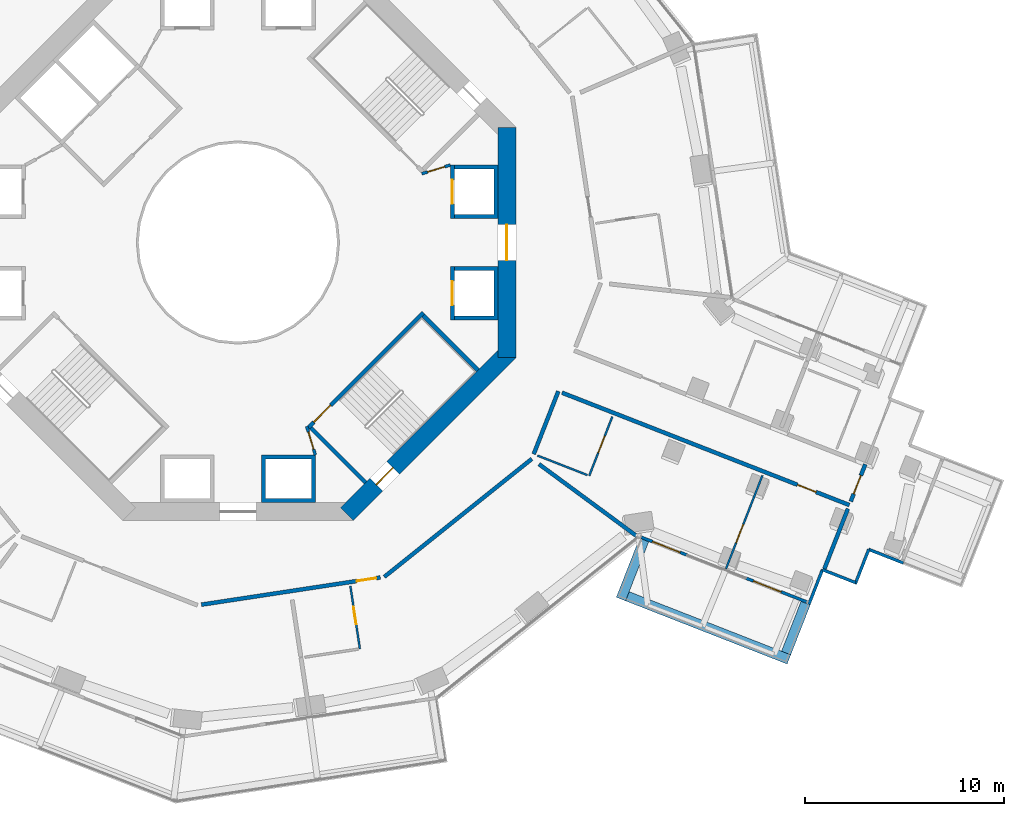
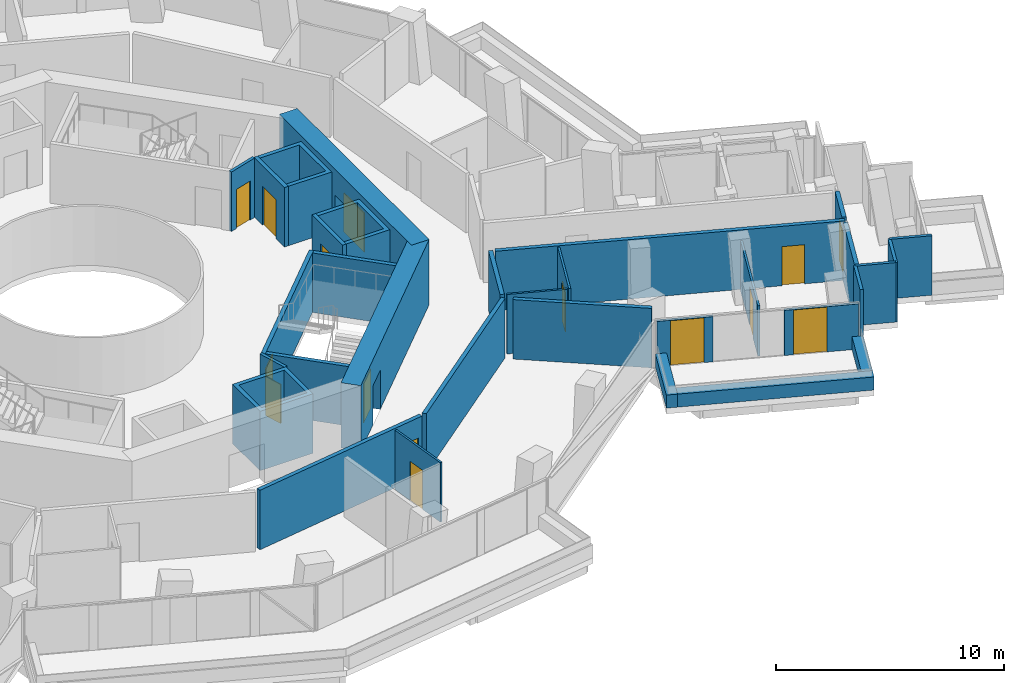
# One storey, part 21 of 28: 32 walls, 15 doors, 15 openings.
"""IFC4 building model written with IfcOpenShell, lengths in metres."""

from ifc_helpers import new_model, si_unit, direction, frame, frame_2d, origin, place, context, subcontext, project, spatial, polyline, rectangle, outline, extrude, material, layer, layer_set, type_object, element, fill, save


model = new_model("IFC4")

# Units and contexts
model_context = context("Model", 3, precision=1e-05, world=origin(), true_north=direction((0.0, 1.0)))
body_context = subcontext(model_context, "Body", "Model", "MODEL_VIEW")
ifc_project = project(units=[si_unit("LENGTHUNIT", "METRE"), si_unit("AREAUNIT", "SQUARE_METRE"), si_unit("VOLUMEUNIT", "CUBIC_METRE"), si_unit("PLANEANGLEUNIT", "RADIAN"), si_unit("MASSUNIT", "GRAM", prefix="KILO")], contexts=[model_context])

# Site, building, storey
site_placement = place(None, origin())
site = spatial("IfcSite", under=ifc_project, at=site_placement, CompositionType="ELEMENT")
building_placement = place(site_placement, origin())
building = spatial("IfcBuilding", under=site, at=building_placement, Name="Verdalira Terraces Hotel", CompositionType="ELEMENT")
storey_placement = place(building_placement, frame((0.0, 0.0, 68.0)))
storey = spatial("IfcBuildingStorey", under=building, at=storey_placement, Name="L15", CompositionType="ELEMENT", Elevation=68.0)

# Walls
ifc_material_1 = material(Name="Concrete C40", Category="concrete")
ifc_layer_1 = layer(ifc_material_1, 0.5)
ifc_layer_set_1 = layer_set([ifc_layer_1], Name="Balcony planter trough with tree")
wall_type_1 = type_object("IfcWallType", Name="Balcony planter trough with tree", PredefinedType="SOLIDWALL", material=ifc_layer_set_1)
wall_1_placement = place(storey_placement, frame((20.457031, -14.980957, 0.0), z_axis=(0.0, 0.0, 1.0), x_axis=(-0.364261223, -0.931296817, 0.0)))
element("IfcWall", 1, at=wall_1_placement, inside=storey, type_object=wall_type_1, Name="Balcony planter", PredefinedType="SOLIDWALL", context=body_context, shape_type="SweptSolid", body=[
    extrude(rectangle(XDim=3.198975, YDim=0.5, at=frame_2d((1.599609, 0.0))), origin(), (0.0, 0.0, 1.0), 0.699951),
])
wall_2_placement = place(storey_placement, frame((19.615723, -17.818604, 0.0), z_axis=(0.0, 0.0, 1.0), x_axis=(0.9313182, -0.36420655, 0.0)))
element("IfcWall", 2, at=wall_2_placement, inside=storey, type_object=wall_type_1, Name="Balcony planter", PredefinedType="SOLIDWALL", context=body_context, shape_type="SweptSolid", body=[
    extrude(rectangle(XDim=8.737793, YDim=0.5, at=frame_2d((4.368896, 0.0))), origin(), (0.0, 0.0, 1.0), 0.699951),
])
wall_3_placement = place(storey_placement, frame((27.611572, -20.677246, 0.0), z_axis=(0.0, 0.0, 1.0), x_axis=(0.364252692, 0.931300154, 0.0)))
element("IfcWall", 3, at=wall_3_placement, inside=storey, type_object=wall_type_1, Name="Balcony planter", PredefinedType="SOLIDWALL", context=body_context, shape_type="SweptSolid", body=[
    extrude(rectangle(XDim=2.699219, YDim=0.5, at=frame_2d((1.349609, 0.0))), origin(), (0.0, 0.0, 1.0), 0.699951),
])

# Wall, opening, door
ifc_material_2 = material(Name="Moisture-resistant gypsum board partition")
ifc_layer_2 = layer(ifc_material_2, 0.10009765625)
ifc_layer_set_2 = layer_set([ifc_layer_2], Name="Bathroom partition 100 mm")
wall_type_2 = type_object("IfcWallType", Name="Bathroom partition 100 mm", PredefinedType="PARTITIONING", material=ifc_layer_set_2)
wall_4_placement = place(storey_placement, frame((6.144531, -20.467529, 0.0), z_axis=(0.0, 0.0, 1.0), x_axis=(-0.150228011, 0.988651377, 0.0)))
wall_4 = element("IfcWall", 4, at=wall_4_placement, inside=storey, type_object=wall_type_2, Name="Bathroom partition", PredefinedType="PARTITIONING", context=body_context, shape_type="SweptSolid", body=[
    extrude(rectangle(XDim=3.199951, YDim=0.100098, at=frame_2d((1.600098, 0.0))), origin(), (0.0, 0.0, 1.0), 3.189941),
])
opening_1_placement = place(wall_4_placement, frame((1.25, 0.0, 0.0)))
opening_1 = element("IfcOpeningElement", 5, at=opening_1_placement, cuts=wall_4, Name="Opening L15-123", PredefinedType="OPENING", context=body_context, shape_type="SweptSolid", body=[
    extrude(rectangle(XDim=0.899902, YDim=2.100098, at=frame_2d((0.449951, 1.050049))), frame((0.0, 0.060059, 0.0), z_axis=(0.0, -1.0, 0.0), x_axis=(1.0, 0.0, 0.0)), (0.0, 0.0, 1.0), 0.120117),
])
ifc_material_3 = material(Name="Timber door", Category="wood")
door_type_1 = type_object("IfcDoorType", Name="Bathroom door 900 x 2100", OperationType="NOTDEFINED", PredefinedType="DOOR", material=ifc_material_3)
door_1_placement = place(opening_1_placement, origin())
door_1 = element("IfcDoor", 6, at=door_1_placement, inside=storey, type_object=door_type_1, Name="Bathroom door 1510", OperationType="SINGLE_SWING_LEFT", OverallHeight=2.10009765625, OverallWidth=0.89990234375, PredefinedType="DOOR", context=body_context, shape_type="SweptSolid", body=[
    extrude(rectangle(XDim=0.899902, YDim=2.100098, at=frame_2d((0.449951, 1.050049))), frame((0.0, 0.024902, 0.0), z_axis=(0.0, -1.0, 0.0), x_axis=(1.0, 0.0, 0.0)), (0.0, 0.0, 1.0), 0.050049),
])
fill(opening_1, door_1)

# Wall
wall_5_placement = place(storey_placement, frame((15.085693, -10.731689, 0.0), z_axis=(0.0, 0.0, 1.0), x_axis=(0.931317467, -0.364208423, 0.0)))
element("IfcWall", 7, at=wall_5_placement, inside=storey, type_object=wall_type_2, Name="Bathroom partition", PredefinedType="PARTITIONING", context=body_context, shape_type="SweptSolid", body=[
    extrude(rectangle(XDim=2.700195, YDim=0.100098, at=frame_2d((1.350098, 0.0))), origin(), (0.0, 0.0, 1.0), 3.189941),
])

# Wall, opening, door
wall_6_placement = place(storey_placement, frame((17.693359, -11.751709, 0.0), z_axis=(0.0, 0.0, 1.0), x_axis=(0.364223868, 0.931311427, 0.0)))
wall_6 = element("IfcWall", 8, at=wall_6_placement, inside=storey, type_object=wall_type_2, Name="Bathroom partition", PredefinedType="PARTITIONING", context=body_context, shape_type="SweptSolid", body=[
    extrude(rectangle(XDim=3.199951, YDim=0.100098, at=frame_2d((1.600098, 0.0))), origin(), (0.0, 0.0, 1.0), 3.189941),
])
opening_2_placement = place(wall_6_placement, frame((1.25, 0.0, 0.0)))
opening_2 = element("IfcOpeningElement", 9, at=opening_2_placement, cuts=wall_6, Name="Opening L15-126", PredefinedType="OPENING", context=body_context, shape_type="SweptSolid", body=[
    extrude(rectangle(XDim=0.899902, YDim=2.100098, at=frame_2d((0.449951, 1.050049))), frame((0.0, 0.060059, 0.0), z_axis=(0.0, -1.0, 0.0), x_axis=(1.0, 0.0, 0.0)), (0.0, 0.0, 1.0), 0.120117),
])
door_2_placement = place(opening_2_placement, origin())
door_2 = element("IfcDoor", 10, at=door_2_placement, inside=storey, type_object=door_type_1, Name="Bathroom door 1511", OperationType="SINGLE_SWING_LEFT", OverallHeight=2.10009765625, OverallWidth=0.89990234375, PredefinedType="DOOR", context=body_context, shape_type="SweptSolid", body=[
    extrude(rectangle(XDim=0.899902, YDim=2.100098, at=frame_2d((0.449951, 1.050049))), frame((0.0, 0.024902, 0.0), z_axis=(0.0, -1.0, 0.0), x_axis=(1.0, 0.0, 0.0)), (0.0, 0.0, 1.0), 0.050049),
])
fill(opening_2, door_2)

ifc_material_4 = material(Name="Moisture-resistant gypsum board partition")
ifc_layer_3 = layer(ifc_material_4, 0.10009765625)
ifc_layer_set_3 = layer_set([ifc_layer_3], Name="Bathroom partition 100 mm to beam soffit")
wall_type_3 = type_object("IfcWallType", Name="Bathroom partition 100 mm to beam soffit", PredefinedType="PARTITIONING", material=ifc_layer_set_3)
wall_7_placement = place(storey_placement, frame((24.580811, -16.431641, 0.0), z_axis=(0.0, 0.0, 1.0), x_axis=(0.364227997, 0.931309812, 0.0)))
wall_7 = element("IfcWall", 11, at=wall_7_placement, inside=storey, type_object=wall_type_3, Name="Bathroom partition", PredefinedType="PARTITIONING", context=body_context, shape_type="SweptSolid", body=[
    extrude(rectangle(XDim=5.050049, YDim=0.100098, at=frame_2d((2.524902, 0.0))), origin(), (0.0, 0.0, 1.0), 2.689941),
])
opening_3_placement = place(wall_7_placement, frame((1.399902, 0.0, 0.0)))
opening_3 = element("IfcOpeningElement", 12, at=opening_3_placement, cuts=wall_7, Name="Opening L15-125", PredefinedType="OPENING", context=body_context, shape_type="SweptSolid", body=[
    extrude(rectangle(XDim=1.0, YDim=2.100098, at=frame_2d((0.5, 1.050049))), frame((0.0, 0.060059, 0.0), z_axis=(0.0, -1.0, 0.0), x_axis=(1.0, 0.0, 0.0)), (0.0, 0.0, 1.0), 0.120117),
])
ifc_material_5 = material(Name="Timber door", Category="wood")
door_type_2 = type_object("IfcDoorType", Name="Suite internal door 1000 x 2100", OperationType="NOTDEFINED", PredefinedType="DOOR", material=ifc_material_5)
door_3_placement = place(opening_3_placement, origin())
door_3 = element("IfcDoor", 13, at=door_3_placement, inside=storey, type_object=door_type_2, Name="Suite internal door 1511", OperationType="SINGLE_SWING_LEFT", OverallHeight=2.10009765625, OverallWidth=1.0, PredefinedType="DOOR", context=body_context, shape_type="SweptSolid", body=[
    extrude(rectangle(XDim=1.0, YDim=2.100098, at=frame_2d((0.5, 1.050049))), frame((0.0, 0.024902, 0.0), z_axis=(0.0, -1.0, 0.0), x_axis=(1.0, 0.0, 0.0)), (0.0, 0.0, 1.0), 0.050049),
])
fill(opening_3, door_3)

# Wall
ifc_material_6 = material(Name="Concrete C50", Category="concrete")
ifc_layer_4 = layer(ifc_material_6, 0.199951171875)
ifc_layer_set_4 = layer_set([ifc_layer_4], Name="Core RC wall 200 C50")
wall_type_4 = type_object("IfcWallType", Name="Core RC wall 200 C50", PredefinedType="SOLIDWALL", material=ifc_layer_set_4)
wall_8_placement = place(storey_placement, origin())
element("IfcWall", 14, at=wall_8_placement, inside=storey, type_object=wall_type_4, Name="L15 shaft wall E1", PredefinedType="SOLIDWALL", context=body_context, shape_type="SweptSolid", body=[
    extrude(outline(polyline([(13.100098, -3.899902), (10.899902, -3.899902), (10.899902, -3.699951), (12.899902, -3.699951), (12.899902, -1.399902), (10.899902, -1.399902), (10.899902, -1.199951), (13.100098, -1.199951), (13.100098, -3.899902)])), origin(), (0.0, 0.0, 1.0), 3.189941),
])

# Wall, opening, door
wall_9_placement = place(storey_placement, frame((10.800049, -1.199951, 0.0), z_axis=(0.0, 0.0, 1.0), x_axis=(0.0, -1.0, 0.0)))
wall_9 = element("IfcWall", 15, at=wall_9_placement, inside=storey, type_object=wall_type_4, Name="L15 shaft front wall E1", PredefinedType="SOLIDWALL", context=body_context, shape_type="SweptSolid", body=[
    extrude(rectangle(XDim=2.699951, YDim=0.199951, at=frame_2d((1.350098, 0.0))), origin(), (0.0, 0.0, 1.0), 3.189941),
])
opening_4_placement = place(wall_9_placement, frame((0.75, 0.0, 0.0)))
opening_4 = element("IfcOpeningElement", 16, at=opening_4_placement, cuts=wall_9, Name="Opening LD-L15-801", PredefinedType="OPENING", context=body_context, shape_type="SweptSolid", body=[
    extrude(rectangle(XDim=1.199951, YDim=2.100098, at=frame_2d((0.600098, 1.050049))), frame((0.0, 0.109863, 0.0), z_axis=(0.0, -1.0, 0.0), x_axis=(1.0, 0.0, 0.0)), (0.0, 0.0, 1.0), 0.219971),
])
ifc_material_7 = material(Name="Stainless steel", Category="steel")
door_type_3 = type_object("IfcDoorType", Name="Landing door 1200 x 2100", OperationType="NOTDEFINED", PredefinedType="DOOR", material=ifc_material_7)
door_4_placement = place(opening_4_placement, origin())
door_4 = element("IfcDoor", 17, at=door_4_placement, inside=storey, type_object=door_type_3, Name="Lift landing door LR1 L15", OperationType="DOUBLE_DOOR_SLIDING", OverallHeight=2.10009765625, OverallWidth=1.199951171875, PredefinedType="DOOR", context=body_context, shape_type="SweptSolid", body=[
    extrude(rectangle(XDim=1.199951, YDim=2.100098, at=frame_2d((0.600098, 1.050049))), frame((0.0, 0.024902, 0.0), z_axis=(0.0, -1.0, 0.0), x_axis=(1.0, 0.0, 0.0)), (0.0, 0.0, 1.0), 0.050049),
])
fill(opening_4, door_4)

# Wall
wall_10_placement = place(storey_placement, origin())
element("IfcWall", 18, at=wall_10_placement, inside=storey, type_object=wall_type_4, Name="L15 shaft wall E2", PredefinedType="SOLIDWALL", context=body_context, shape_type="SweptSolid", body=[
    extrude(outline(polyline([(13.100098, 3.899902), (13.100098, 1.199951), (10.899902, 1.199951), (10.899902, 1.399902), (12.899902, 1.399902), (12.899902, 3.699951), (10.899902, 3.699951), (10.899902, 3.899902), (13.100098, 3.899902)])), origin(), (0.0, 0.0, 1.0), 3.189941),
])

# Wall, opening, door
wall_11_placement = place(storey_placement, frame((10.800049, 1.199951, 0.0), z_axis=(0.0, 0.0, 1.0), x_axis=(0.0, 1.0, 0.0)))
wall_11 = element("IfcWall", 19, at=wall_11_placement, inside=storey, type_object=wall_type_4, Name="L15 shaft front wall E2", PredefinedType="SOLIDWALL", context=body_context, shape_type="SweptSolid", body=[
    extrude(rectangle(XDim=2.699951, YDim=0.199951, at=frame_2d((1.350098, 0.0))), origin(), (0.0, 0.0, 1.0), 3.189941),
])
opening_5_placement = place(wall_11_placement, frame((0.75, 0.0, 0.0)))
opening_5 = element("IfcOpeningElement", 20, at=opening_5_placement, cuts=wall_11, Name="Opening LD-L15-802", PredefinedType="OPENING", context=body_context, shape_type="SweptSolid", body=[
    extrude(rectangle(XDim=1.199951, YDim=2.100098, at=frame_2d((0.600098, 1.050049))), frame((0.0, 0.109863, 0.0), z_axis=(0.0, -1.0, 0.0), x_axis=(1.0, 0.0, 0.0)), (0.0, 0.0, 1.0), 0.219971),
])
door_5_placement = place(opening_5_placement, origin())
door_5 = element("IfcDoor", 21, at=door_5_placement, inside=storey, type_object=door_type_3, Name="Lift landing door LR2 L15", OperationType="DOUBLE_DOOR_SLIDING", OverallHeight=2.10009765625, OverallWidth=1.199951171875, PredefinedType="DOOR", context=body_context, shape_type="SweptSolid", body=[
    extrude(rectangle(XDim=1.199951, YDim=2.100098, at=frame_2d((0.600098, 1.050049))), frame((0.0, 0.024902, 0.0), z_axis=(0.0, -1.0, 0.0), x_axis=(1.0, 0.0, 0.0)), (0.0, 0.0, 1.0), 0.050049),
])
fill(opening_5, door_5)

# Wall
wall_12_placement = place(storey_placement, origin())
element("IfcWall", 22, at=wall_12_placement, inside=storey, type_object=wall_type_4, Name="L15 shaft wall S2", PredefinedType="SOLIDWALL", context=body_context, shape_type="SweptSolid", body=[
    extrude(outline(polyline([(3.899902, -10.699951), (3.899902, -13.100098), (1.199951, -13.100098), (1.199951, -10.699951), (3.899902, -10.699951)]), holes=[polyline([(1.399902, -12.899902), (3.699951, -12.899902), (3.699951, -10.899902), (1.399902, -10.899902), (1.399902, -12.899902)])]), origin(), (0.0, 0.0, 1.0), 3.189941),
])

# Wall, opening, door
wall_13_placement = place(storey_placement, frame((9.33374, -3.5354, 0.0), z_axis=(0.0, 0.0, 1.0), x_axis=(-0.707106781, -0.707106781, 0.0)))
wall_13 = element("IfcWall", 23, at=wall_13_placement, inside=storey, type_object=wall_type_4, Name="L15 stair ST3 front wall", PredefinedType="SOLIDWALL", context=body_context, shape_type="SweptSolid", body=[
    extrude(rectangle(XDim=8.200195, YDim=0.199951, at=frame_2d((4.100098, 0.0))), origin(), (0.0, 0.0, 1.0), 3.189941),
])
opening_6_placement = place(wall_13_placement, frame((6.600098, 0.0, 0.0)))
opening_6 = element("IfcOpeningElement", 24, at=opening_6_placement, cuts=wall_13, Name="Opening L15-811", PredefinedType="OPENING", context=body_context, shape_type="SweptSolid", body=[
    extrude(rectangle(XDim=1.199951, YDim=2.100098, at=frame_2d((0.600098, 1.050049))), frame((0.0, 0.109863, 0.0), z_axis=(0.0, -1.0, 0.0), x_axis=(1.0, 0.0, 0.0)), (0.0, 0.0, 1.0), 0.219971),
])
ifc_material_8 = material(Name="Steel fire door", Category="steel")
door_type_4 = type_object("IfcDoorType", Name="Stair door 1200 x 2100", OperationType="NOTDEFINED", PredefinedType="DOOR", material=ifc_material_8)
door_6_placement = place(opening_6_placement, origin())
door_6 = element("IfcDoor", 25, at=door_6_placement, inside=storey, type_object=door_type_4, Name="Stair door ST3 L15", OperationType="SINGLE_SWING_RIGHT", OverallHeight=2.10009765625, OverallWidth=1.199951171875, PredefinedType="DOOR", context=body_context, shape_type="SweptSolid", body=[
    extrude(rectangle(XDim=1.199951, YDim=2.100098, at=frame_2d((0.600098, 1.050049))), frame((0.0, 0.024902, 0.0), z_axis=(0.0, -1.0, 0.0), x_axis=(1.0, 0.0, 0.0)), (0.0, 0.0, 1.0), 0.050049),
])
fill(opening_6, door_6)

# Walls
for number, where, z_axis, x_axis, name in (
    (26, (3.677002, -9.33374, 0.0), (0.0, 0.0, 1.0), (0.707106781, -0.707106781, 0.0), "L15 stair ST3 end wall 1"),
    (27, (9.33374, -3.677002, 0.0), (0.0, 0.0, 1.0), (0.707106781, -0.707106781, 0.0), "L15 stair ST3 end wall 2"),
):
    element("IfcWall", number, at=place(storey_placement, frame(where, z_axis=z_axis, x_axis=x_axis)), inside=storey, type_object=wall_type_4, Name=name, PredefinedType="SOLIDWALL", context=body_context, shape_type="SweptSolid", body=[
        extrude(rectangle(XDim=3.900146, YDim=0.199951, at=frame_2d((1.950195, 0.0))), origin(), (0.0, 0.0, 1.0), 3.189941),
    ])

# Wall, opening, door
ifc_material_9 = material(Name="Gypsum board partition")
ifc_layer_5 = layer(ifc_material_9, 0.14990234375)
ifc_layer_set_5 = layer_set([ifc_layer_5], Name="Core partition 150 mm")
wall_type_5 = type_object("IfcWallType", Name="Core partition 150 mm", PredefinedType="PARTITIONING", material=ifc_layer_set_5)
wall_14_placement = place(storey_placement, frame((10.699951, 3.899902, 0.0), z_axis=(0.0, 0.0, 1.0), x_axis=(-0.957084567, -0.289808785, 0.0)))
wall_14 = element("IfcWall", 28, at=wall_14_placement, inside=storey, type_object=wall_type_5, Name="Room partition L15", PredefinedType="PARTITIONING", context=body_context, shape_type="SweptSolid", body=[
    extrude(rectangle(XDim=1.501221, YDim=0.149902, at=frame_2d((0.750488, 0.0))), origin(), (0.0, 0.0, 1.0), 3.189941),
])
opening_7_placement = place(wall_14_placement, frame((0.300781, 0.0, 0.0)))
opening_7 = element("IfcOpeningElement", 29, at=opening_7_placement, cuts=wall_14, Name="Opening L15-820", PredefinedType="OPENING", context=body_context, shape_type="SweptSolid", body=[
    extrude(rectangle(XDim=0.899902, YDim=2.100098, at=frame_2d((0.449951, 1.050049))), frame((0.0, 0.084961, 0.0), z_axis=(0.0, -1.0, 0.0), x_axis=(1.0, 0.0, 0.0)), (0.0, 0.0, 1.0), 0.169922),
])
ifc_material_10 = material(Name="Steel fire door", Category="steel")
door_type_5 = type_object("IfcDoorType", Name="Core room door 900 x 2100", OperationType="NOTDEFINED", PredefinedType="DOOR", material=ifc_material_10)
door_7_placement = place(opening_7_placement, origin())
door_7 = element("IfcDoor", 30, at=door_7_placement, inside=storey, type_object=door_type_5, Name="Door L15 room0", OperationType="SINGLE_SWING_LEFT", OverallHeight=2.10009765625, OverallWidth=0.89990234375, PredefinedType="DOOR", context=body_context, shape_type="SweptSolid", body=[
    extrude(rectangle(XDim=0.899902, YDim=2.100098, at=frame_2d((0.449951, 1.050049))), frame((0.0, 0.024902, 0.0), z_axis=(0.0, -1.0, 0.0), x_axis=(1.0, 0.0, 0.0)), (0.0, 0.0, 1.0), 0.050049),
])
fill(opening_7, door_7)

wall_15_placement = place(storey_placement, frame((3.899902, -10.699951, 0.0), z_axis=(0.0, 0.0, 1.0), x_axis=(-0.289808785, 0.957084567, 0.0)))
wall_15 = element("IfcWall", 31, at=wall_15_placement, inside=storey, type_object=wall_type_5, Name="Room partition L15", PredefinedType="PARTITIONING", context=body_context, shape_type="SweptSolid", body=[
    extrude(rectangle(XDim=1.501221, YDim=0.149902, at=frame_2d((0.750488, 0.0))), origin(), (0.0, 0.0, 1.0), 3.189941),
])
opening_8_placement = place(wall_15_placement, frame((0.300781, 0.0, 0.0)))
opening_8 = element("IfcOpeningElement", 32, at=opening_8_placement, cuts=wall_15, Name="Opening L15-823", PredefinedType="OPENING", context=body_context, shape_type="SweptSolid", body=[
    extrude(rectangle(XDim=0.899902, YDim=2.100098, at=frame_2d((0.449951, 1.050049))), frame((0.0, 0.084961, 0.0), z_axis=(0.0, -1.0, 0.0), x_axis=(1.0, 0.0, 0.0)), (0.0, 0.0, 1.0), 0.169922),
])
door_8_placement = place(opening_8_placement, origin())
door_8 = element("IfcDoor", 33, at=door_8_placement, inside=storey, type_object=door_type_5, Name="Door L15 room6", OperationType="SINGLE_SWING_LEFT", OverallHeight=2.10009765625, OverallWidth=0.89990234375, PredefinedType="DOOR", context=body_context, shape_type="SweptSolid", body=[
    extrude(rectangle(XDim=0.899902, YDim=2.100098, at=frame_2d((0.449951, 1.050049))), frame((0.0, 0.024902, 0.0), z_axis=(0.0, -1.0, 0.0), x_axis=(1.0, 0.0, 0.0)), (0.0, 0.0, 1.0), 0.050049),
])
fill(opening_8, door_8)

ifc_material_11 = material(Name="Concrete C70", Category="concrete")
ifc_layer_6 = layer(ifc_material_11, 0.89990234375)
ifc_layer_set_6 = layer_set([ifc_layer_6], Name="Core wall 900 C70")
wall_type_6 = type_object("IfcWallType", Name="Core wall 900 C70", PredefinedType="SHEAR", material=ifc_layer_set_6)
wall_16_placement = place(storey_placement, frame((13.550049, -5.799072, 0.0), z_axis=(0.0, 0.0, 1.0), x_axis=(0.0, 1.0, 0.0)))
wall_16 = element("IfcWall", 34, at=wall_16_placement, inside=storey, type_object=wall_type_6, Name="Core wall CW-L15-1", PredefinedType="SHEAR", context=body_context, shape_type="SweptSolid", body=[
    extrude(rectangle(XDim=11.598145, YDim=0.899902, at=frame_2d((5.799072, 0.0))), origin(), (0.0, 0.0, 1.0), 3.5),
])
opening_9_placement = place(wall_16_placement, frame((4.898926, 0.0, 0.0)))
opening_9 = element("IfcOpeningElement", 35, at=opening_9_placement, cuts=wall_16, Name="Opening L15-812", PredefinedType="OPENING", context=body_context, shape_type="SweptSolid", body=[
    extrude(rectangle(XDim=1.800049, YDim=2.100098, at=frame_2d((0.899902, 1.050049))), frame((0.0, 0.459961, 0.0), z_axis=(0.0, -1.0, 0.0), x_axis=(1.0, 0.0, 0.0)), (0.0, 0.0, 1.0), 0.919922),
])
ifc_material_12 = material(Name="Steel fire door", Category="steel")
door_type_6 = type_object("IfcDoorType", Name="Core entry door pair 1800 x 2100", OperationType="NOTDEFINED", PredefinedType="DOOR", material=ifc_material_12)
door_9_placement = place(opening_9_placement, origin())
door_9 = element("IfcDoor", 36, at=door_9_placement, inside=storey, type_object=door_type_6, Name="Core entry door L15 0", OperationType="DOUBLE_DOOR_SINGLE_SWING", OverallHeight=2.10009765625, OverallWidth=1.800048828125, PredefinedType="DOOR", context=body_context, shape_type="SweptSolid", body=[
    extrude(rectangle(XDim=1.800049, YDim=2.100098, at=frame_2d((0.899902, 1.050049))), frame((0.0, 0.024902, 0.0), z_axis=(0.0, -1.0, 0.0), x_axis=(1.0, 0.0, 0.0)), (0.0, 0.0, 1.0), 0.050049),
])
fill(opening_9, door_9)

wall_17_placement = place(storey_placement, frame((5.480713, -13.681885, 0.0), z_axis=(0.0, 0.0, 1.0), x_axis=(0.707106781, 0.707106781, 0.0)))
wall_17 = element("IfcWall", 37, at=wall_17_placement, inside=storey, type_object=wall_type_6, Name="Core wall CW-L15-8", PredefinedType="SHEAR", context=body_context, shape_type="SweptSolid", body=[
    extrude(rectangle(XDim=11.598145, YDim=0.899902, at=frame_2d((5.799072, 0.0))), origin(), (0.0, 0.0, 1.0), 3.5),
])
opening_10_placement = place(wall_17_placement, frame((2.099121, 0.0, 0.0)))
opening_10 = element("IfcOpeningElement", 38, at=opening_10_placement, cuts=wall_17, Name="Opening L15-818", PredefinedType="OPENING", context=body_context, shape_type="SweptSolid", body=[
    extrude(rectangle(XDim=1.199951, YDim=2.100098, at=frame_2d((0.600098, 1.050049))), frame((0.0, 0.459961, 0.0), z_axis=(0.0, -1.0, 0.0), x_axis=(1.0, 0.0, 0.0)), (0.0, 0.0, 1.0), 0.919922),
])
door_10_placement = place(opening_10_placement, origin())
door_10 = element("IfcDoor", 39, at=door_10_placement, inside=storey, type_object=door_type_4, Name="Stair exit door ST3 L15", OperationType="SINGLE_SWING_LEFT", OverallHeight=2.10009765625, OverallWidth=1.199951171875, PredefinedType="DOOR", context=body_context, shape_type="SweptSolid", body=[
    extrude(rectangle(XDim=1.199951, YDim=2.100098, at=frame_2d((0.600098, 1.050049))), frame((0.0, 0.024902, 0.0), z_axis=(0.0, -1.0, 0.0), x_axis=(1.0, 0.0, 0.0)), (0.0, 0.0, 1.0), 0.050049),
])
fill(opening_10, door_10)

# Walls
ifc_material_13 = material(Name="Fire-rated gypsum board wall")
ifc_layer_7 = layer(ifc_material_13, 0.199951171875)
ifc_layer_set_7 = layer_set([ifc_layer_7], Name="Demising wall 200 mm")
wall_type_7 = type_object("IfcWallType", Name="Demising wall 200 mm", PredefinedType="SOLIDWALL", material=ifc_layer_set_7)
wall_18_placement = place(storey_placement, frame((15.165527, -11.164795, 0.0), z_axis=(0.0, 0.0, 1.0), x_axis=(0.805323948, -0.592835002, 0.0)))
element("IfcWall", 40, at=wall_18_placement, inside=storey, type_object=wall_type_7, Name="Demising wall", PredefinedType="SOLIDWALL", context=body_context, shape_type="SweptSolid", body=[
    extrude(rectangle(XDim=6.13208, YDim=0.199951, at=frame_2d((3.065918, 0.0))), origin(), (0.0, 0.0, 1.0), 3.189941),
])
wall_19_placement = place(storey_placement, frame((30.721924, -13.410889, 0.0), z_axis=(0.0, 0.0, 1.0), x_axis=(-0.364243568, -0.931303722, 0.0)))
element("IfcWall", 41, at=wall_19_placement, inside=storey, type_object=wall_type_7, Name="Demising wall", PredefinedType="SOLIDWALL", context=body_context, shape_type="SweptSolid", body=[
    extrude(rectangle(XDim=3.250244, YDim=0.199951, at=frame_2d((1.625, 0.0))), origin(), (0.0, 0.0, 1.0), 3.189941),
])

# Wall, opening, door
ifc_material_14 = material(Name="Fire-rated gypsum board wall")
ifc_layer_8 = layer(ifc_material_14, 0.199951171875)
ifc_layer_set_8 = layer_set([ifc_layer_8], Name="Guest corridor wall 200 mm")
wall_type_8 = type_object("IfcWallType", Name="Guest corridor wall 200 mm", PredefinedType="SOLIDWALL", material=ifc_layer_set_8)
wall_20_placement = place(storey_placement, frame((7.173828, -16.87207, 0.0), z_axis=(0.0, 0.0, 1.0), x_axis=(-0.988652066, -0.150223477, 0.0)))
wall_20 = element("IfcWall", 42, at=wall_20_placement, inside=storey, type_object=wall_type_8, Name="Guest corridor wall", PredefinedType="SOLIDWALL", context=body_context, shape_type="SweptSolid", body=[
    extrude(rectangle(XDim=9.115723, YDim=0.199951, at=frame_2d((4.557861, 0.0))), origin(), (0.0, 0.0, 1.0), 3.189941),
])
opening_11_placement = place(wall_20_placement, frame((0.199951, 0.0, 0.0)))
opening_11 = element("IfcOpeningElement", 43, at=opening_11_placement, cuts=wall_20, Name="Opening L15-122", PredefinedType="OPENING", context=body_context, shape_type="SweptSolid", body=[
    extrude(rectangle(XDim=1.0, YDim=2.100098, at=frame_2d((0.5, 1.050049))), frame((0.0, 0.109863, 0.0), z_axis=(0.0, -1.0, 0.0), x_axis=(1.0, 0.0, 0.0)), (0.0, 0.0, 1.0), 0.219971),
])
ifc_material_15 = material(Name="Timber fire door", Category="wood")
door_type_7 = type_object("IfcDoorType", Name="Guest entry door 1000 x 2100", OperationType="NOTDEFINED", PredefinedType="DOOR", material=ifc_material_15)
door_11_placement = place(opening_11_placement, origin())
door_11 = element("IfcDoor", 44, at=door_11_placement, inside=storey, type_object=door_type_7, Name="Guest entry door 1510", OperationType="SINGLE_SWING_LEFT", OverallHeight=2.10009765625, OverallWidth=1.0, PredefinedType="DOOR", context=body_context, shape_type="SweptSolid", body=[
    extrude(rectangle(XDim=1.0, YDim=2.100098, at=frame_2d((0.5, 1.050049))), frame((0.0, 0.024902, 0.0), z_axis=(0.0, -1.0, 0.0), x_axis=(1.0, 0.0, 0.0)), (0.0, 0.0, 1.0), 0.050049),
])
fill(opening_11, door_11)

# Walls
wall_21_placement = place(storey_placement, frame((7.372559, -16.841553, 0.0), z_axis=(0.0, 0.0, 1.0), x_axis=(0.78109403, 0.624413418, 0.0)))
element("IfcWall", 45, at=wall_21_placement, inside=storey, type_object=wall_type_8, Name="Guest corridor wall", PredefinedType="SOLIDWALL", context=body_context, shape_type="SweptSolid", body=[
    extrude(rectangle(XDim=9.515869, YDim=0.199951, at=frame_2d((4.757812, 0.0))), origin(), (0.0, 0.0, 1.0), 3.189941),
])
wall_22_placement = place(storey_placement, frame((14.899414, -10.658936, 0.0), z_axis=(0.0, 0.0, 1.0), x_axis=(0.364261269, 0.931296799, 0.0)))
element("IfcWall", 46, at=wall_22_placement, inside=storey, type_object=wall_type_8, Name="Guest corridor wall", PredefinedType="SOLIDWALL", context=body_context, shape_type="SweptSolid", body=[
    extrude(rectangle(XDim=3.400146, YDim=0.199951, at=frame_2d((1.700195, 0.0))), origin(), (0.0, 0.0, 1.0), 3.189941),
])

# Wall, opening, door
wall_23_placement = place(storey_placement, frame((30.794678, -13.224609, 0.0), z_axis=(0.0, 0.0, 1.0), x_axis=(-0.931306749, 0.364235828, 0.0)))
wall_23 = element("IfcWall", 47, at=wall_23_placement, inside=storey, type_object=wall_type_8, Name="Guest corridor wall", PredefinedType="SOLIDWALL", context=body_context, shape_type="SweptSolid", body=[
    extrude(rectangle(XDim=15.537842, YDim=0.199951, at=frame_2d((7.769043, 0.0))), origin(), (0.0, 0.0, 1.0), 3.189941),
])
opening_12_placement = place(wall_23_placement, frame((1.800049, 0.0, 0.0)))
opening_12 = element("IfcOpeningElement", 48, at=opening_12_placement, cuts=wall_23, Name="Opening L15-124", PredefinedType="OPENING", context=body_context, shape_type="SweptSolid", body=[
    extrude(rectangle(XDim=1.0, YDim=2.100098, at=frame_2d((0.5, 1.050049))), frame((0.0, 0.109863, 0.0), z_axis=(0.0, -1.0, 0.0), x_axis=(1.0, 0.0, 0.0)), (0.0, 0.0, 1.0), 0.219971),
])
door_12_placement = place(opening_12_placement, origin())
door_12 = element("IfcDoor", 49, at=door_12_placement, inside=storey, type_object=door_type_7, Name="Guest entry door 1511", OperationType="SINGLE_SWING_LEFT", OverallHeight=2.10009765625, OverallWidth=1.0, PredefinedType="DOOR", context=body_context, shape_type="SweptSolid", body=[
    extrude(rectangle(XDim=1.0, YDim=2.100098, at=frame_2d((0.5, 1.050049))), frame((0.0, 0.024902, 0.0), z_axis=(0.0, -1.0, 0.0), x_axis=(1.0, 0.0, 0.0)), (0.0, 0.0, 1.0), 0.050049),
])
fill(opening_12, door_12)

wall_24_placement = place(storey_placement, frame((31.59668, -11.173828, 0.0), z_axis=(0.0, 0.0, 1.0), x_axis=(-0.364238582, -0.931305672, 0.0)))
wall_24 = element("IfcWall", 50, at=wall_24_placement, inside=storey, type_object=wall_type_8, Name="Guest corridor wall", PredefinedType="SOLIDWALL", context=body_context, shape_type="SweptSolid", body=[
    extrude(rectangle(XDim=2.00415, YDim=0.199951, at=frame_2d((1.001953, 0.0))), origin(), (0.0, 0.0, 1.0), 3.189941),
])
opening_13_placement = place(wall_24_placement, frame((0.600098, 0.0, 0.0)))
opening_13 = element("IfcOpeningElement", 51, at=opening_13_placement, cuts=wall_24, Name="Opening L15-127", PredefinedType="OPENING", context=body_context, shape_type="SweptSolid", body=[
    extrude(rectangle(XDim=1.0, YDim=2.100098, at=frame_2d((0.5, 1.050049))), frame((0.0, 0.109863, 0.0), z_axis=(0.0, -1.0, 0.0), x_axis=(1.0, 0.0, 0.0)), (0.0, 0.0, 1.0), 0.219971),
])
door_13_placement = place(opening_13_placement, origin())
door_13 = element("IfcDoor", 52, at=door_13_placement, inside=storey, type_object=door_type_7, Name="Guest entry door 1512", OperationType="SINGLE_SWING_LEFT", OverallHeight=2.10009765625, OverallWidth=1.0, PredefinedType="DOOR", context=body_context, shape_type="SweptSolid", body=[
    extrude(rectangle(XDim=1.0, YDim=2.100098, at=frame_2d((0.5, 1.050049))), frame((0.0, 0.024902, 0.0), z_axis=(0.0, -1.0, 0.0), x_axis=(1.0, 0.0, 0.0)), (0.0, 0.0, 1.0), 0.050049),
])
fill(opening_13, door_13)

# Walls
ifc_material_16 = material(Name="Terracotta cladding", Category="masonry")
ifc_layer_9 = layer(ifc_material_16, 0.14990234375)
ifc_layer_set_9 = layer_set([ifc_layer_9], Name="Terracotta clad wall 150")
wall_type_9 = type_object("IfcWallType", Name="Terracotta clad wall 150", PredefinedType="SOLIDWALL", material=ifc_layer_set_9)
wall_25_placement = place(storey_placement, frame((28.758057, -18.226318, 0.0), z_axis=(0.0, 0.0, 1.0), x_axis=(0.364217678, 0.931313848, 0.0)))
element("IfcWall", 53, at=wall_25_placement, inside=storey, type_object=wall_type_9, Name="Terracotta cladding wall", PredefinedType="SOLIDWALL", context=body_context, shape_type="SweptSolid", body=[
    extrude(rectangle(XDim=1.874756, YDim=0.149902, at=frame_2d((0.9375, 0.0))), origin(), (0.0, 0.0, 1.0), 3.189941),
])
wall_26_placement = place(storey_placement, frame((29.440918, -16.480225, 0.0), z_axis=(0.0, 0.0, 1.0), x_axis=(0.931338797, -0.364153876, 0.0)))
element("IfcWall", 54, at=wall_26_placement, inside=storey, type_object=wall_type_9, Name="Terracotta cladding wall", PredefinedType="SOLIDWALL", context=body_context, shape_type="SweptSolid", body=[
    extrude(rectangle(XDim=1.800049, YDim=0.149902, at=frame_2d((0.899902, 0.0))), origin(), (0.0, 0.0, 1.0), 3.189941),
])
for number, where, z_axis, x_axis, name in (
    (55, (31.090088, -17.205566, 0.0), (0.0, 0.0, 1.0), (0.364217678, 0.931313848, 0.0), "Terracotta cladding wall"),
    (56, (31.772949, -15.459473, 0.0), (0.0, 0.0, 1.0), (0.931313848, -0.364217678, 0.0), "Terracotta cladding wall"),
):
    element("IfcWall", number, at=place(storey_placement, frame(where, z_axis=z_axis, x_axis=x_axis)), inside=storey, type_object=wall_type_9, Name=name, PredefinedType="SOLIDWALL", context=body_context, shape_type="SweptSolid", body=[
        extrude(rectangle(XDim=1.874756, YDim=0.149902, at=frame_2d((0.9375, 0.0))), origin(), (0.0, 0.0, 1.0), 3.189941),
    ])

# Wall, opening, door
ifc_material_17 = material(Name="Terracotta cladding", Category="masonry")
ifc_layer_10 = layer(ifc_material_17, 0.14990234375)
ifc_layer_set_10 = layer_set([ifc_layer_10], Name="Terracotta door pier 150")
wall_type_10 = type_object("IfcWallType", Name="Terracotta door pier 150", PredefinedType="SOLIDWALL", material=ifc_layer_set_10)
wall_27_placement = place(storey_placement, frame((20.317139, -14.844727, 0.0), z_axis=(0.0, 0.0, 1.0), x_axis=(0.931316194, -0.364211677, 0.0)))
wall_27 = element("IfcWall", 57, at=wall_27_placement, inside=storey, type_object=wall_type_10, Name="Terracotta door pier", PredefinedType="SOLIDWALL", context=body_context, shape_type="SweptSolid", body=[
    extrude(rectangle(XDim=2.501709, YDim=0.149902, at=frame_2d((1.250977, 0.0))), origin(), (0.0, 0.0, 1.0), 2.425049),
])
opening_14_placement = place(wall_27_placement, frame((0.601807, 0.0, 0.0)))
opening_14 = element("IfcOpeningElement", 58, at=opening_14_placement, cuts=wall_27, Name="Opening L15-B15", PredefinedType="OPENING", context=body_context, shape_type="SweptSolid", body=[
    extrude(rectangle(XDim=1.5, YDim=2.399902, at=frame_2d((0.75, 1.199951))), frame((0.0, 0.084961, 0.0), z_axis=(0.0, -1.0, 0.0), x_axis=(1.0, 0.0, 0.0)), (0.0, 0.0, 1.0), 0.169922),
])
ifc_material_18 = material(Name="Clear glass", Category="glass")
door_type_8 = type_object("IfcDoorType", Name="Balcony sliding door 1500x2400", OperationType="NOTDEFINED", PredefinedType="DOOR", material=ifc_material_18)
door_14_placement = place(opening_14_placement, origin())
door_14 = element("IfcDoor", 59, at=door_14_placement, inside=storey, type_object=door_type_8, Name="Balcony sliding door", OperationType="SLIDING_TO_LEFT", OverallHeight=2.39990234375, OverallWidth=1.5, PredefinedType="DOOR", context=body_context, shape_type="SweptSolid", body=[
    extrude(rectangle(XDim=1.5, YDim=2.399902, at=frame_2d((0.75, 1.199951))), frame((0.0, 0.024902, 0.0), z_axis=(0.0, -1.0, 0.0), x_axis=(1.0, 0.0, 0.0)), (0.0, 0.0, 1.0), 0.050049),
])
fill(opening_14, door_14)

wall_28_placement = place(storey_placement, frame((25.588623, -16.90625, 0.0), z_axis=(0.0, 0.0, 1.0), x_axis=(0.931301932, -0.364248144, 0.0)))
wall_28 = element("IfcWall", 60, at=wall_28_placement, inside=storey, type_object=wall_type_10, Name="Terracotta door pier", PredefinedType="SOLIDWALL", context=body_context, shape_type="SweptSolid", body=[
    extrude(rectangle(XDim=3.287598, YDim=0.149902, at=frame_2d((1.643799, 0.0))), origin(), (0.0, 0.0, 1.0), 2.425049),
])
opening_15_placement = place(wall_28_placement, frame((0.399902, 0.0, 0.0)))
opening_15 = element("IfcOpeningElement", 61, at=opening_15_placement, cuts=wall_28, Name="Opening L15-B16", PredefinedType="OPENING", context=body_context, shape_type="SweptSolid", body=[
    extrude(rectangle(XDim=1.5, YDim=2.399902, at=frame_2d((0.75, 1.199951))), frame((0.0, 0.084961, 0.0), z_axis=(0.0, -1.0, 0.0), x_axis=(1.0, 0.0, 0.0)), (0.0, 0.0, 1.0), 0.169922),
])
door_15_placement = place(opening_15_placement, origin())
door_15 = element("IfcDoor", 62, at=door_15_placement, inside=storey, type_object=door_type_8, Name="Balcony sliding door", OperationType="SLIDING_TO_RIGHT", OverallHeight=2.39990234375, OverallWidth=1.5, PredefinedType="DOOR", context=body_context, shape_type="SweptSolid", body=[
    extrude(rectangle(XDim=1.5, YDim=2.399902, at=frame_2d((0.75, 1.199951))), frame((0.0, 0.024902, 0.0), z_axis=(0.0, -1.0, 0.0), x_axis=(1.0, 0.0, 0.0)), (0.0, 0.0, 1.0), 0.050049),
])
fill(opening_15, door_15)

save(model, "model.ifc")
